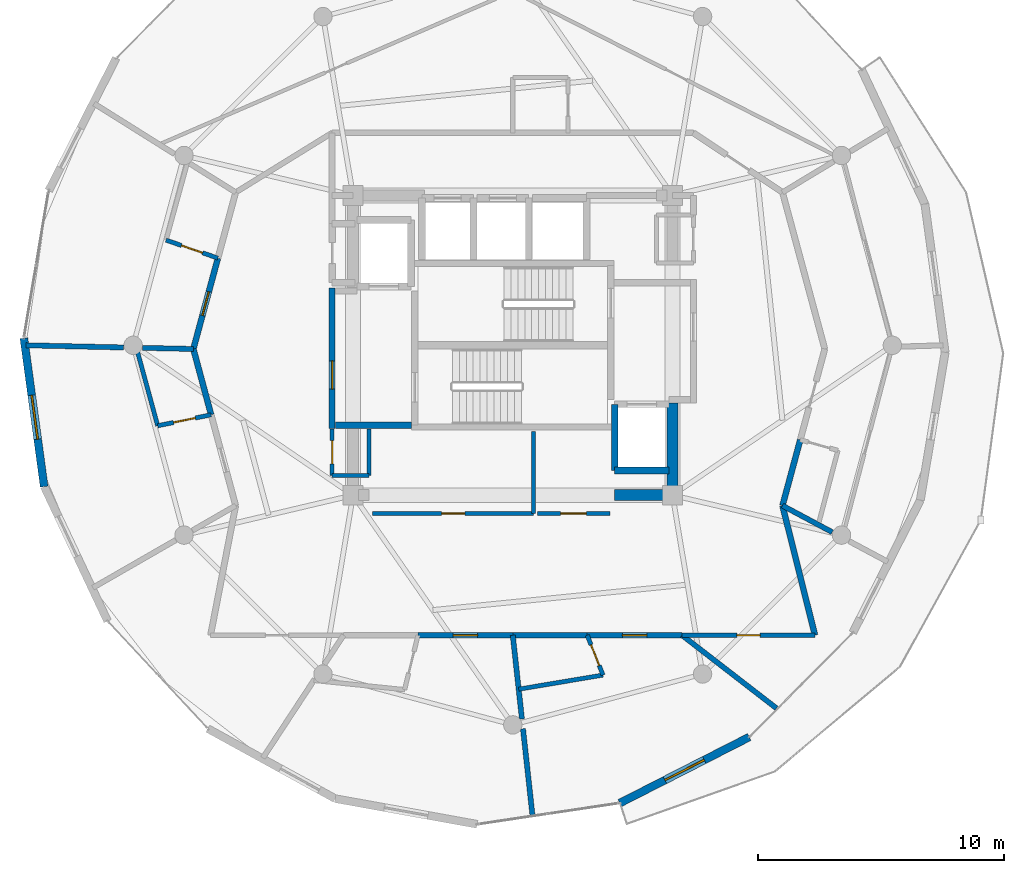
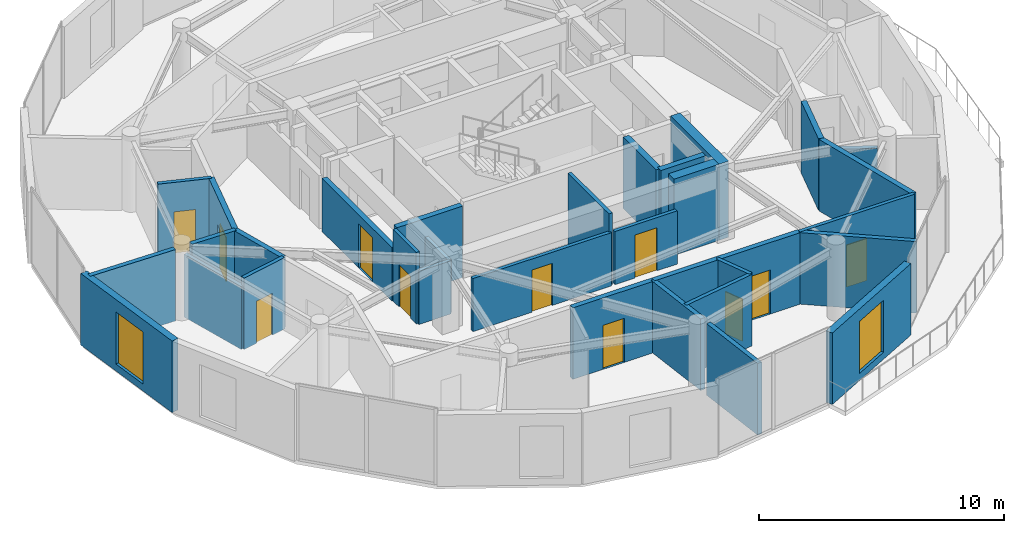
# One storey, part 18 of 23: 33 walls, 11 doors, 2 windows, 13 openings.
"""IFC4 building model written with IfcOpenShell, lengths in metres."""

from ifc_helpers import new_model, si_unit, direction, frame, frame_2d, origin, place, context, subcontext, project, spatial, rectangle, extrude, material, layer, layer_set, type_object, element, fill, save


model = new_model("IFC4")

# Units and contexts
model_context = context("Model", 3, precision=1e-05, world=origin(), true_north=direction((0.0, 1.0)))
body_context = subcontext(model_context, "Body", "Model", "MODEL_VIEW")
ifc_project = project(units=[si_unit("LENGTHUNIT", "METRE"), si_unit("AREAUNIT", "SQUARE_METRE"), si_unit("VOLUMEUNIT", "CUBIC_METRE"), si_unit("PLANEANGLEUNIT", "RADIAN"), si_unit("MASSUNIT", "GRAM", prefix="KILO")], contexts=[model_context])

# Site, building, storey
site_placement = place(None, origin())
site = spatial("IfcSite", under=ifc_project, at=site_placement, CompositionType="ELEMENT")
building_placement = place(site_placement, origin())
building = spatial("IfcBuilding", under=site, at=building_placement, Name="Solvirekh Grand Hotel", CompositionType="ELEMENT")
storey_placement = place(building_placement, frame((0.0, 0.0, 282.0)))
storey = spatial("IfcBuildingStorey", under=building, at=storey_placement, Name="L73", CompositionType="ELEMENT", Elevation=282.0)

# Walls
ifc_material_1 = material(Name="Concrete C40/50", Category="concrete")
ifc_layer_1 = layer(ifc_material_1, 0.280029296875)
ifc_layer_set_1 = layer_set([ifc_layer_1], Name="Concrete C40/50")
wall_type_1 = type_object("IfcWallType", Name="CoreShaftWall_RC280", PredefinedType="SOLIDWALL", material=ifc_layer_set_1)
wall_1_placement = place(storey_placement, frame((4.14990234375, -5.10009765625, 0.0), z_axis=(0.0, 0.0, 1.0), x_axis=(1.0, 0.0, 0.0)))
element("IfcWall", 1, at=wall_1_placement, inside=storey, type_object=wall_type_1, Name="L73 FL-2 hoistway S wall", PredefinedType="SOLIDWALL", context=body_context, shape_type="SweptSolid", body=[
    extrude(rectangle(XDim=2.2001953125, YDim=0.280029296875, at=frame_2d((1.10009765625, 0.0))), origin(), (0.0, 0.0, 1.0), 3.570068359375),
])
wall_2_placement = place(storey_placement, frame((4.14990234375, -2.39990234375, 0.0), z_axis=(0.0, 0.0, 1.0), x_axis=(0.0, -1.0, 0.0)))
element("IfcWall", 2, at=wall_2_placement, inside=storey, type_object=wall_type_1, Name="L73 FL-2 hoistway W wall", PredefinedType="SOLIDWALL", context=body_context, shape_type="SweptSolid", body=[
    extrude(rectangle(XDim=2.7001953125, YDim=0.280029296875, at=frame_2d((1.35009765625, 0.0))), origin(), (0.0, 0.0, 1.0), 3.570068359375),
])
ifc_material_2 = material(Name="Concrete C50/60", Category="concrete")
ifc_layer_2 = layer(ifc_material_2, 0.449951171875)
ifc_layer_set_2 = layer_set([ifc_layer_2], Name="Concrete C50/60")
wall_type_2 = type_object("IfcWallType", Name="CoreWall_RC450", PredefinedType="SHEAR", material=ifc_layer_set_2)
wall_3_placement = place(storey_placement, frame((4.14990234375, -6.10009765625, 0.0), z_axis=(0.0, 0.0, 1.0), x_axis=(1.0, 0.0, 0.0)))
element("IfcWall", 3, at=wall_3_placement, inside=storey, type_object=wall_type_2, Name="L73 core corner shear wall SE-S", PredefinedType="SHEAR", context=body_context, shape_type="SweptSolid", body=[
    extrude(rectangle(XDim=2.125, YDim=0.449951171875, at=frame_2d((1.0625, 0.0))), origin(), (0.0, 0.0, 1.0), 3.800048828125),
])
wall_4_placement = place(storey_placement, frame((6.5, -6.324951171875, 0.0), z_axis=(0.0, 0.0, 1.0), x_axis=(0.0, 1.0, 0.0)))
element("IfcWall", 4, at=wall_4_placement, inside=storey, type_object=wall_type_2, Name="L73 core corner shear wall ES-E", PredefinedType="SHEAR", context=body_context, shape_type="SweptSolid", body=[
    extrude(rectangle(XDim=3.974853515625, YDim=0.449951171875, at=frame_2d((1.9873046875, 0.0))), origin(), (0.0, 0.0, 1.0), 3.800048828125),
])

# Wall, opening, window
ifc_material_3 = material(Name="Precast concrete C45/55", Category="concrete")
ifc_layer_3 = layer(ifc_material_3, 0.320068359375)
ifc_layer_set_3 = layer_set([ifc_layer_3], Name="Precast concrete C45/55")
wall_type_3 = type_object("IfcWallType", Name="ExtLobbyWall_RC320", PredefinedType="SOLIDWALL", material=ifc_layer_set_3)
wall_5_placement = place(storey_placement, frame((9.626953125, -15.943115234375, 0.0), z_axis=(0.0, 0.0, 1.0), x_axis=(-0.890681374573, -0.454628077651, 0.0)))
wall_5 = element("IfcWall", 5, at=wall_5_placement, inside=storey, type_object=wall_type_3, Name="L73 exterior structural wall chord 2", PredefinedType="SOLIDWALL", context=body_context, shape_type="SweptSolid", body=[
    extrude(rectangle(XDim=5.91455078125, YDim=0.320068359375, at=frame_2d((2.957275390625, 0.0))), origin(), (0.0, 0.0, 1.0), 3.570068359375),
])
opening_1_placement = place(wall_5_placement, frame((2.056884765625, 0.0, 0.35009765625)))
opening_1 = element("IfcOpeningElement", 6, at=opening_1_placement, cuts=wall_5, Name="Opening W02", PredefinedType="OPENING", context=body_context, shape_type="SweptSolid", body=[
    extrude(rectangle(XDim=1.800048828125, YDim=2.60009765625, at=frame_2d((0.89990234375, 1.300048828125))), frame((0.0, 0.169921875, 0.0), z_axis=(0.0, -1.0, 0.0), x_axis=(1.0, 0.0, 0.0)), (0.0, 0.0, 1.0), 0.340087890625),
])
ifc_material_4 = material(Name="Low-E Tinted Bronze Laminated Glass", Category="aluminium")
window_type = type_object("IfcWindowType", Name="Win_LobbyExt_1800X2600", PartitioningType="SINGLE_PANEL", PredefinedType="WINDOW", material=ifc_material_4)
window_1_placement = place(opening_1_placement, origin())
window_1 = element("IfcWindow", 7, at=window_1_placement, inside=storey, type_object=window_type, Name="L73 panoramic bronze-framed window 2", OverallHeight=2.60009765625, OverallWidth=1.800048828125, PartitioningType="SINGLE_PANEL", PredefinedType="WINDOW", context=body_context, shape_type="SweptSolid", body=[
    extrude(rectangle(XDim=1.800048828125, YDim=2.60009765625, at=frame_2d((0.89990234375, 1.300048828125))), frame((0.0, 0.030029296875, 0.0), z_axis=(0.0, -1.0, 0.0), x_axis=(1.0, 0.0, 0.0)), (0.0, 0.0, 1.0), 0.06005859375),
])
fill(opening_1, window_1)

wall_6_placement = place(storey_placement, frame((-19.072998046875, -5.7509765625, 0.0), z_axis=(0.0, 0.0, 1.0), x_axis=(-0.135345568291, 0.990798454351, 0.0)))
wall_6 = element("IfcWall", 8, at=wall_6_placement, inside=storey, type_object=wall_type_3, Name="L73 exterior structural wall chord 16", PredefinedType="SOLIDWALL", context=body_context, shape_type="SweptSolid", body=[
    extrude(rectangle(XDim=6.09521484375, YDim=0.320068359375, at=frame_2d((3.047607421875, 0.0))), origin(), (0.0, 0.0, 1.0), 3.570068359375),
])
opening_2_placement = place(wall_6_placement, frame((1.949951171875, 0.0, 0.35009765625)))
opening_2 = element("IfcOpeningElement", 9, at=opening_2_placement, cuts=wall_6, Name="Opening W02", PredefinedType="OPENING", context=body_context, shape_type="SweptSolid", body=[
    extrude(rectangle(XDim=1.800048828125, YDim=2.60009765625, at=frame_2d((0.89990234375, 1.300048828125))), frame((0.0, 0.169921875, 0.0), z_axis=(0.0, -1.0, 0.0), x_axis=(1.0, 0.0, 0.0)), (0.0, 0.0, 1.0), 0.340087890625),
])
window_2_placement = place(opening_2_placement, origin())
window_2 = element("IfcWindow", 10, at=window_2_placement, inside=storey, type_object=window_type, Name="L73 panoramic bronze-framed window 16", OverallHeight=2.60009765625, OverallWidth=1.800048828125, PartitioningType="SINGLE_PANEL", PredefinedType="WINDOW", context=body_context, shape_type="SweptSolid", body=[
    extrude(rectangle(XDim=1.800048828125, YDim=2.60009765625, at=frame_2d((0.89990234375, 1.300048828125))), frame((0.0, 0.030029296875, 0.0), z_axis=(0.0, -1.0, 0.0), x_axis=(1.0, 0.0, 0.0)), (0.0, 0.0, 1.0), 0.06005859375),
])
fill(opening_2, window_2)

# Walls
ifc_material_5 = material(Name="Acoustic Gypsum Partition Assembly")
ifc_layer_4 = layer(ifc_material_5, 0.1650390625)
ifc_layer_set_4 = layer_set([ifc_layer_4], Name="Acoustic Gypsum Partition Assembly")
wall_type_4 = type_object("IfcWallType", Name="Part_BOH_165", PredefinedType="PARTITIONING", material=ifc_layer_set_4)
wall_7_placement = place(storey_placement, frame((-7.35009765625, -5.300048828125, 0.0), z_axis=(0.0, 0.0, 1.0), x_axis=(1.0, 0.0, 0.0)))
element("IfcWall", 11, at=wall_7_placement, inside=storey, type_object=wall_type_4, Name="L73 L73 Butler Service Closet wall 1", PredefinedType="PARTITIONING", context=body_context, shape_type="SweptSolid", body=[
    extrude(rectangle(XDim=1.5, YDim=0.1650390625, at=frame_2d((0.75, 0.0))), origin(), (0.0, 0.0, 1.0), 2.655029296875),
])
wall_8_placement = place(storey_placement, frame((-5.85009765625, -5.300048828125, 0.0), z_axis=(0.0, 0.0, 1.0), x_axis=(0.0, 1.0, 0.0)))
element("IfcWall", 12, at=wall_8_placement, inside=storey, type_object=wall_type_4, Name="L73 L73 Butler Service Closet wall 2", PredefinedType="PARTITIONING", context=body_context, shape_type="SweptSolid", body=[
    extrude(rectangle(XDim=1.900146484375, YDim=0.1650390625, at=frame_2d((0.9501953125, 0.0))), origin(), (0.0, 0.0, 1.0), 2.655029296875),
])

# Wall, opening, door
wall_9_placement = place(storey_placement, frame((-7.35009765625, -3.39990234375, 0.0), z_axis=(0.0, 0.0, 1.0), x_axis=(0.0, -1.0, 0.0)))
wall_9 = element("IfcWall", 13, at=wall_9_placement, inside=storey, type_object=wall_type_4, Name="L73 L73 Butler Service Closet wall 4", PredefinedType="PARTITIONING", context=body_context, shape_type="SweptSolid", body=[
    extrude(rectangle(XDim=1.900146484375, YDim=0.1650390625, at=frame_2d((0.9501953125, 0.0))), origin(), (0.0, 0.0, 1.0), 3.570068359375),
])
opening_3_placement = place(wall_9_placement, frame((0.47509765625, 0.0, 0.0)))
opening_3 = element("IfcOpeningElement", 14, at=opening_3_placement, cuts=wall_9, Name="Opening D10", PredefinedType="OPENING", context=body_context, shape_type="SweptSolid", body=[
    extrude(rectangle(XDim=0.949951171875, YDim=2.10009765625, at=frame_2d((0.47509765625, 1.050048828125))), frame((0.0, 0.092529296875, 0.0), z_axis=(0.0, -1.0, 0.0), x_axis=(1.0, 0.0, 0.0)), (0.0, 0.0, 1.0), 0.18505859375),
])
ifc_material_6 = material(Name="Anodized Bronze Aluminium 6063-T6", Category="aluminium")
door_type_1 = type_object("IfcDoorType", Name="Door_RoomInt_950X2100", OperationType="NOTDEFINED", PredefinedType="DOOR", material=ifc_material_6)
door_1_placement = place(opening_3_placement, origin())
door_1 = element("IfcDoor", 15, at=door_1_placement, inside=storey, type_object=door_type_1, Name="L73 L73 Butler Service Closet door", OperationType="SINGLE_SWING_LEFT", OverallHeight=2.10009765625, OverallWidth=0.949951171875, PredefinedType="DOOR", context=body_context, shape_type="SweptSolid", body=[
    extrude(rectangle(XDim=0.949951171875, YDim=2.10009765625, at=frame_2d((0.47509765625, 1.050048828125))), frame((0.0, 0.02490234375, 0.0), z_axis=(0.0, -1.0, 0.0), x_axis=(1.0, 0.0, 0.0)), (0.0, 0.0, 1.0), 0.050048828125),
])
fill(opening_3, door_1)

wall_10_placement = place(storey_placement, frame((-5.699951171875, -6.85009765625, 0.0), z_axis=(0.0, 0.0, 1.0), x_axis=(1.0, 0.0, 0.0)))
wall_10 = element("IfcWall", 16, at=wall_10_placement, inside=storey, type_object=wall_type_4, Name="L73 Housekeeping Linen Room wall 1", PredefinedType="PARTITIONING", context=body_context, shape_type="SweptSolid", body=[
    extrude(rectangle(XDim=6.550048828125, YDim=0.1650390625, at=frame_2d((3.27490234375, 0.0))), origin(), (0.0, 0.0, 1.0), 2.655029296875),
])
opening_4_placement = place(wall_10_placement, frame((2.800048828125, 0.0, 0.0)))
opening_4 = element("IfcOpeningElement", 17, at=opening_4_placement, cuts=wall_10, Name="Opening D10", PredefinedType="OPENING", context=body_context, shape_type="SweptSolid", body=[
    extrude(rectangle(XDim=0.949951171875, YDim=2.10009765625, at=frame_2d((0.47509765625, 1.050048828125))), frame((0.0, 0.092529296875, 0.0), z_axis=(0.0, -1.0, 0.0), x_axis=(1.0, 0.0, 0.0)), (0.0, 0.0, 1.0), 0.18505859375),
])
door_2_placement = place(opening_4_placement, origin())
door_2 = element("IfcDoor", 18, at=door_2_placement, inside=storey, type_object=door_type_1, Name="L73 Housekeeping Linen Room door", OperationType="SINGLE_SWING_LEFT", OverallHeight=2.10009765625, OverallWidth=0.949951171875, PredefinedType="DOOR", context=body_context, shape_type="SweptSolid", body=[
    extrude(rectangle(XDim=0.949951171875, YDim=2.10009765625, at=frame_2d((0.47509765625, 1.050048828125))), frame((0.0, 0.02490234375, 0.0), z_axis=(0.0, -1.0, 0.0), x_axis=(1.0, 0.0, 0.0)), (0.0, 0.0, 1.0), 0.050048828125),
])
fill(opening_4, door_2)

# Wall
wall_11_placement = place(storey_placement, frame((0.85009765625, -6.85009765625, 0.0), z_axis=(0.0, 0.0, 1.0), x_axis=(0.0, 1.0, 0.0)))
element("IfcWall", 19, at=wall_11_placement, inside=storey, type_object=wall_type_4, Name="L73 Housekeeping Linen Room wall 2", PredefinedType="PARTITIONING", context=body_context, shape_type="SweptSolid", body=[
    extrude(rectangle(XDim=3.35009765625, YDim=0.1650390625, at=frame_2d((1.675048828125, 0.0))), origin(), (0.0, 0.0, 1.0), 3.570068359375),
])

# Wall, opening, door
wall_12_placement = place(storey_placement, frame((1.0, -6.85009765625, 0.0), z_axis=(0.0, 0.0, 1.0), x_axis=(1.0, 0.0, 0.0)))
wall_12 = element("IfcWall", 20, at=wall_12_placement, inside=storey, type_object=wall_type_4, Name="L73 Chilled Water Manifold Room wall 1", PredefinedType="PARTITIONING", context=body_context, shape_type="SweptSolid", body=[
    extrude(rectangle(XDim=2.949951171875, YDim=0.1650390625, at=frame_2d((1.47509765625, 0.0))), origin(), (0.0, 0.0, 1.0), 2.655029296875),
])
opening_5_placement = place(wall_12_placement, frame((0.949951171875, 0.0, 0.0)))
opening_5 = element("IfcOpeningElement", 21, at=opening_5_placement, cuts=wall_12, Name="Opening D12", PredefinedType="OPENING", context=body_context, shape_type="SweptSolid", body=[
    extrude(rectangle(XDim=1.050048828125, YDim=2.14990234375, at=frame_2d((0.52490234375, 1.074951171875))), frame((0.0, 0.092529296875, 0.0), z_axis=(0.0, -1.0, 0.0), x_axis=(1.0, 0.0, 0.0)), (0.0, 0.0, 1.0), 0.18505859375),
])
ifc_material_7 = material(Name="Fire-Rated Steel Door Assembly", Category="steel")
door_type_2 = type_object("IfcDoorType", Name="Door_PlantBOH_1050X2150", OperationType="NOTDEFINED", PredefinedType="DOOR", material=ifc_material_7)
door_3_placement = place(opening_5_placement, origin())
door_3 = element("IfcDoor", 22, at=door_3_placement, inside=storey, type_object=door_type_2, Name="L73 Chilled Water Manifold Room door", OperationType="SINGLE_SWING_RIGHT", OverallHeight=2.14990234375, OverallWidth=1.050048828125, PredefinedType="DOOR", context=body_context, shape_type="SweptSolid", body=[
    extrude(rectangle(XDim=1.050048828125, YDim=2.14990234375, at=frame_2d((0.52490234375, 1.074951171875))), frame((0.0, 0.02490234375, 0.0), z_axis=(0.0, -1.0, 0.0), x_axis=(1.0, 0.0, 0.0)), (0.0, 0.0, 1.0), 0.050048828125),
])
fill(opening_5, door_3)

wall_13_placement = place(storey_placement, frame((6.887939453125, -11.800048828125, 0.0), z_axis=(0.0, 0.0, 1.0), x_axis=(1.0, 0.0, 0.0)))
wall_13 = element("IfcWall", 23, at=wall_13_placement, inside=storey, type_object=wall_type_4, Name="L73 L73 Butler Valet & Linen Steward Room entrance wall", PredefinedType="PARTITIONING", context=body_context, shape_type="SweptSolid", body=[
    extrude(rectangle(XDim=5.412109375, YDim=0.1650390625, at=frame_2d((2.7060546875, 0.0))), origin(), (0.0, 0.0, 1.0), 3.570068359375),
])
opening_6_placement = place(wall_13_placement, frame((2.23095703125, 0.0, 0.0)))
opening_6 = element("IfcOpeningElement", 24, at=opening_6_placement, cuts=wall_13, Name="Opening D10", PredefinedType="OPENING", context=body_context, shape_type="SweptSolid", body=[
    extrude(rectangle(XDim=0.949951171875, YDim=2.10009765625, at=frame_2d((0.47509765625, 1.050048828125))), frame((0.0, 0.092529296875, 0.0), z_axis=(0.0, -1.0, 0.0), x_axis=(1.0, 0.0, 0.0)), (0.0, 0.0, 1.0), 0.18505859375),
])
door_4_placement = place(opening_6_placement, origin())
door_4 = element("IfcDoor", 25, at=door_4_placement, inside=storey, type_object=door_type_1, Name="L73 L73 Butler Valet & Linen Steward Room entrance door", OperationType="SINGLE_SWING_RIGHT", OverallHeight=2.10009765625, OverallWidth=0.949951171875, PredefinedType="DOOR", context=body_context, shape_type="SweptSolid", body=[
    extrude(rectangle(XDim=0.949951171875, YDim=2.10009765625, at=frame_2d((0.47509765625, 1.050048828125))), frame((0.0, 0.02490234375, 0.0), z_axis=(0.0, -1.0, 0.0), x_axis=(1.0, 0.0, 0.0)), (0.0, 0.0, 1.0), 0.050048828125),
])
fill(opening_6, door_4)

ifc_layer_5 = layer(ifc_material_5, 0.239990234375)
ifc_layer_set_5 = layer_set([ifc_layer_5], Name="Acoustic Gypsum Partition Assembly")
wall_type_5 = type_object("IfcWallType", Name="Part_Corridor_240", PredefinedType="PARTITIONING", material=ifc_layer_set_5)
wall_14_placement = place(storey_placement, frame((-7.35009765625, -3.3798828125, 0.0), z_axis=(0.0, 0.0, 1.0), x_axis=(0.0, 1.0, 0.0)))
wall_14 = element("IfcWall", 26, at=wall_14_placement, inside=storey, type_object=wall_type_5, Name="L73 west firefighting lobby smoke screen wall", PredefinedType="PARTITIONING", context=body_context, shape_type="SweptSolid", body=[
    extrude(rectangle(XDim=5.719970703125, YDim=0.239990234375, at=frame_2d((2.85986328125, 0.0))), origin(), (0.0, 0.0, 1.0), 2.655029296875),
])
opening_7_placement = place(wall_14_placement, frame((1.59912109375, 0.0, 0.0)))
opening_7 = element("IfcOpeningElement", 27, at=opening_7_placement, cuts=wall_14, Name="Opening D06", PredefinedType="OPENING", context=body_context, shape_type="SweptSolid", body=[
    extrude(rectangle(XDim=1.14990234375, YDim=2.199951171875, at=frame_2d((0.574951171875, 1.10009765625))), frame((0.0, 0.1298828125, 0.0), z_axis=(0.0, -1.0, 0.0), x_axis=(1.0, 0.0, 0.0)), (0.0, 0.0, 1.0), 0.260009765625),
])
door_type_3 = type_object("IfcDoorType", Name="Door_FFLobby_1150X2200", OperationType="NOTDEFINED", PredefinedType="DOOR", material=ifc_material_7)
door_5_placement = place(opening_7_placement, origin())
door_5 = element("IfcDoor", 28, at=door_5_placement, inside=storey, type_object=door_type_3, Name="L73 west firefighting lobby smoke door", OperationType="SINGLE_SWING_RIGHT", OverallHeight=2.199951171875, OverallWidth=1.14990234375, PredefinedType="DOOR", context=body_context, shape_type="SweptSolid", body=[
    extrude(rectangle(XDim=1.14990234375, YDim=2.199951171875, at=frame_2d((0.574951171875, 1.10009765625))), frame((0.0, 0.02490234375, 0.0), z_axis=(0.0, -1.0, 0.0), x_axis=(1.0, 0.0, 0.0)), (0.0, 0.0, 1.0), 0.050048828125),
])
fill(opening_7, door_5)

wall_15_placement = place(storey_placement, frame((-12.0009765625, 3.547119140625, 0.0), z_axis=(0.0, 0.0, 1.0), x_axis=(-0.260867276747, -0.96537467541, 0.0)))
wall_15 = element("IfcWall", 29, at=wall_15_placement, inside=storey, type_object=wall_type_5, Name="L73 Deluxe Guestroom 7502 entrance wall", PredefinedType="PARTITIONING", context=body_context, shape_type="SweptSolid", body=[
    extrude(rectangle(XDim=3.82958984375, YDim=0.239990234375, at=frame_2d((1.914794921875, 0.0))), origin(), (0.0, 0.0, 1.0), 3.570068359375),
])
opening_8_placement = place(wall_15_placement, frame((1.4150390625, 0.0, 0.0)))
opening_8 = element("IfcOpeningElement", 30, at=opening_8_placement, cuts=wall_15, Name="Opening D07", PredefinedType="OPENING", context=body_context, shape_type="SweptSolid", body=[
    extrude(rectangle(XDim=1.0, YDim=2.199951171875, at=frame_2d((0.5, 1.10009765625))), frame((0.0, 0.1298828125, 0.0), z_axis=(0.0, -1.0, 0.0), x_axis=(1.0, 0.0, 0.0)), (0.0, 0.0, 1.0), 0.260009765625),
])
door_type_4 = type_object("IfcDoorType", Name="Door_GuestEntry_1000X2200", OperationType="NOTDEFINED", PredefinedType="DOOR", material=ifc_material_7)
door_6_placement = place(opening_8_placement, origin())
door_6 = element("IfcDoor", 31, at=door_6_placement, inside=storey, type_object=door_type_4, Name="L73 Deluxe Guestroom 7502 entrance door", OperationType="SINGLE_SWING_RIGHT", OverallHeight=2.199951171875, OverallWidth=1.0, PredefinedType="DOOR", context=body_context, shape_type="SweptSolid", body=[
    extrude(rectangle(XDim=1.0, YDim=2.199951171875, at=frame_2d((0.5, 1.10009765625))), frame((0.0, 0.02490234375, 0.0), z_axis=(0.0, -1.0, 0.0), x_axis=(1.0, 0.0, 0.0)), (0.0, 0.0, 1.0), 0.050048828125),
])
fill(opening_8, door_6)

# Walls
for number, where, z_axis, x_axis, name in (
    (32, (-13.0, -0.14990234375, 0.0), (0.0, 0.0, 1.0), (0.260702780503, -0.965419111183, 0.0), "L73 En-suite Bathroom 7503 corridor backing wall"),
    (33, (10.97802734375, -6.52490234375, 0.0), (0.0, 0.0, 1.0), (0.260702780503, 0.965419111183, 0.0), "L73 En-suite Bathroom 7504 corridor backing wall"),
):
    element("IfcWall", number, at=place(storey_placement, frame(where, z_axis=z_axis, x_axis=x_axis)), inside=storey, type_object=wall_type_5, Name=name, PredefinedType="PARTITIONING", context=body_context, shape_type="SweptSolid", body=[
        extrude(rectangle(XDim=2.77294921875, YDim=0.239990234375, at=frame_2d((1.386474609375, 0.0))), origin(), (0.0, 0.0, 1.0), 3.570068359375),
    ])

# Wall, opening, door
wall_16_placement = place(storey_placement, frame((-3.85693359375, -11.800048828125, 0.0), z_axis=(0.0, 0.0, 1.0), x_axis=(1.0, 0.0, 0.0)))
wall_16 = element("IfcWall", 34, at=wall_16_placement, inside=storey, type_object=wall_type_5, Name="L73 Deluxe Guestroom 7505 entrance wall", PredefinedType="PARTITIONING", context=body_context, shape_type="SweptSolid", body=[
    extrude(rectangle(XDim=3.85693359375, YDim=0.239990234375, at=frame_2d((1.928466796875, 0.0))), origin(), (0.0, 0.0, 1.0), 3.570068359375),
])
opening_9_placement = place(wall_16_placement, frame((1.428955078125, 0.0, 0.0)))
opening_9 = element("IfcOpeningElement", 35, at=opening_9_placement, cuts=wall_16, Name="Opening D07", PredefinedType="OPENING", context=body_context, shape_type="SweptSolid", body=[
    extrude(rectangle(XDim=1.0, YDim=2.199951171875, at=frame_2d((0.5, 1.10009765625))), frame((0.0, 0.1298828125, 0.0), z_axis=(0.0, -1.0, 0.0), x_axis=(1.0, 0.0, 0.0)), (0.0, 0.0, 1.0), 0.260009765625),
])
door_7_placement = place(opening_9_placement, origin())
door_7 = element("IfcDoor", 36, at=door_7_placement, inside=storey, type_object=door_type_4, Name="L73 Deluxe Guestroom 7505 entrance door", OperationType="SINGLE_SWING_LEFT", OverallHeight=2.199951171875, OverallWidth=1.0, PredefinedType="DOOR", context=body_context, shape_type="SweptSolid", body=[
    extrude(rectangle(XDim=1.0, YDim=2.199951171875, at=frame_2d((0.5, 1.10009765625))), frame((0.0, 0.02490234375, 0.0), z_axis=(0.0, -1.0, 0.0), x_axis=(1.0, 0.0, 0.0)), (0.0, 0.0, 1.0), 0.050048828125),
])
fill(opening_9, door_7)

# Wall
wall_17_placement = place(storey_placement, frame((0.0, -11.800048828125, 0.0), z_axis=(0.0, 0.0, 1.0), x_axis=(1.0, 0.0, 0.0)))
element("IfcWall", 37, at=wall_17_placement, inside=storey, type_object=wall_type_5, Name="L73 En-suite Bathroom 7506 corridor backing wall", PredefinedType="PARTITIONING", context=body_context, shape_type="SweptSolid", body=[
    extrude(rectangle(XDim=3.031005859375, YDim=0.239990234375, at=frame_2d((1.515625, 0.0))), origin(), (0.0, 0.0, 1.0), 3.570068359375),
])

# Wall, opening, door
wall_18_placement = place(storey_placement, frame((3.031005859375, -11.800048828125, 0.0), z_axis=(0.0, 0.0, 1.0), x_axis=(1.0, 0.0, 0.0)))
wall_18 = element("IfcWall", 38, at=wall_18_placement, inside=storey, type_object=wall_type_5, Name="L73 Deluxe Guestroom 7506 entrance wall", PredefinedType="PARTITIONING", context=body_context, shape_type="SweptSolid", body=[
    extrude(rectangle(XDim=3.85693359375, YDim=0.239990234375, at=frame_2d((1.928466796875, 0.0))), origin(), (0.0, 0.0, 1.0), 3.570068359375),
])
opening_10_placement = place(wall_18_placement, frame((1.427978515625, 0.0, 0.0)))
opening_10 = element("IfcOpeningElement", 39, at=opening_10_placement, cuts=wall_18, Name="Opening D07", PredefinedType="OPENING", context=body_context, shape_type="SweptSolid", body=[
    extrude(rectangle(XDim=1.0, YDim=2.199951171875, at=frame_2d((0.5, 1.10009765625))), frame((0.0, 0.1298828125, 0.0), z_axis=(0.0, -1.0, 0.0), x_axis=(1.0, 0.0, 0.0)), (0.0, 0.0, 1.0), 0.260009765625),
])
door_8_placement = place(opening_10_placement, origin())
door_8 = element("IfcDoor", 40, at=door_8_placement, inside=storey, type_object=door_type_4, Name="L73 Deluxe Guestroom 7506 entrance door", OperationType="SINGLE_SWING_LEFT", OverallHeight=2.199951171875, OverallWidth=1.0, PredefinedType="DOOR", context=body_context, shape_type="SweptSolid", body=[
    extrude(rectangle(XDim=1.0, YDim=2.199951171875, at=frame_2d((0.5, 1.10009765625))), frame((0.0, 0.02490234375, 0.0), z_axis=(0.0, -1.0, 0.0), x_axis=(1.0, 0.0, 0.0)), (0.0, 0.0, 1.0), 0.050048828125),
])
fill(opening_10, door_8)

# Walls
wall_19_placement = place(storey_placement, frame((12.300048828125, -11.800048828125, 0.0), z_axis=(0.0, 0.0, 1.0), x_axis=(-0.243095426382, 0.970002378179, 0.0)))
element("IfcWall", 41, at=wall_19_placement, inside=storey, type_object=wall_type_5, Name="L73 L73 Butler Valet & Linen Steward Room corridor wall 1", PredefinedType="PARTITIONING", context=body_context, shape_type="SweptSolid", body=[
    extrude(rectangle(XDim=5.438232421875, YDim=0.239990234375, at=frame_2d((2.71923828125, 0.0))), origin(), (0.0, 0.0, 1.0), 3.570068359375),
])
ifc_layer_6 = layer(ifc_material_5, 0.260009765625)
ifc_layer_set_6 = layer_set([ifc_layer_6], Name="Acoustic Gypsum Partition Assembly")
wall_type_6 = type_object("IfcWallType", Name="Part_LobbyFF_260", PredefinedType="PARTITIONING", material=ifc_layer_set_6)
wall_20_placement = place(storey_placement, frame((-7.22509765625, -3.25, 0.0), z_axis=(0.0, 0.0, 1.0), x_axis=(1.0, 0.0, 0.0)))
element("IfcWall", 42, at=wall_20_placement, inside=storey, type_object=wall_type_6, Name="L73 west firefighting lobby south partition", PredefinedType="PARTITIONING", context=body_context, shape_type="SweptSolid", body=[
    extrude(rectangle(XDim=3.09521484375, YDim=0.260009765625, at=frame_2d((1.547607421875, 0.0))), origin(), (0.0, 0.0, 1.0), 3.570068359375),
])
ifc_layer_7 = layer(ifc_material_5, 0.2099609375)
ifc_layer_set_7 = layer_set([ifc_layer_7], Name="Acoustic Gypsum Partition Assembly")
wall_type_7 = type_object("IfcWallType", Name="Part_SuiteDemise_210", PredefinedType="PARTITIONING", material=ifc_layer_set_7)
wall_21_placement = place(storey_placement, frame((-13.0, -0.14990234375, 0.0), z_axis=(0.0, 0.0, 1.0), x_axis=(-0.999754050443, 0.022177434983, 0.0)))
element("IfcWall", 43, at=wall_21_placement, inside=storey, type_object=wall_type_7, Name="L73 suite radial wall 7 (A)", PredefinedType="PARTITIONING", context=body_context, shape_type="SweptSolid", body=[
    extrude(rectangle(XDim=2.069580078125, YDim=0.2099609375, at=frame_2d((1.03466796875, 0.0))), origin(), (0.0, 0.0, 1.0), 3.570068359375),
])
wall_22_placement = place(storey_placement, frame((-15.8349609375, -0.087890625, 0.0), z_axis=(0.0, 0.0, 1.0), x_axis=(-0.999756763109, 0.022054809407, 0.0)))
element("IfcWall", 44, at=wall_22_placement, inside=storey, type_object=wall_type_7, Name="L73 suite radial wall 7 (B)", PredefinedType="PARTITIONING", context=body_context, shape_type="SweptSolid", body=[
    extrude(rectangle(XDim=3.985107421875, YDim=0.2099609375, at=frame_2d((1.99267578125, 0.0))), origin(), (0.0, 0.0, 1.0), 3.570068359375),
])
wall_23_placement = place(storey_placement, frame((10.97802734375, -6.52490234375, 0.0), z_axis=(0.0, 0.0, 1.0), x_axis=(0.882152653626, -0.470963582138, 0.0)))
element("IfcWall", 45, at=wall_23_placement, inside=storey, type_object=wall_type_7, Name="L73 suite radial wall 12 (A)", PredefinedType="PARTITIONING", context=body_context, shape_type="SweptSolid", body=[
    extrude(rectangle(XDim=2.29541015625, YDim=0.2099609375, at=frame_2d((1.147705078125, 0.0))), origin(), (0.0, 0.0, 1.0), 3.0849609375),
])
wall_24_placement = place(storey_placement, frame((0.0, -11.800048828125, 0.0), z_axis=(0.0, 0.0, 1.0), x_axis=(0.108813455261, -0.994062187166, 0.0)))
element("IfcWall", 46, at=wall_24_placement, inside=storey, type_object=wall_type_7, Name="L73 Deluxe Guestroom 7505 dividing partition 1 (A)", PredefinedType="PARTITIONING", context=body_context, shape_type="SweptSolid", body=[
    extrude(rectangle(XDim=3.42822265625, YDim=0.2099609375, at=frame_2d((1.714111328125, 0.0))), origin(), (0.0, 0.0, 1.0), 3.570068359375),
])
wall_25_placement = place(storey_placement, frame((0.416015625, -15.60595703125, 0.0), z_axis=(0.0, 0.0, 1.0), x_axis=(0.108848082949, -0.994058396091, 0.0)))
element("IfcWall", 47, at=wall_25_placement, inside=storey, type_object=wall_type_7, Name="L73 Deluxe Guestroom 7505 dividing partition 1 (B)", PredefinedType="PARTITIONING", context=body_context, shape_type="SweptSolid", body=[
    extrude(rectangle(XDim=3.537109375, YDim=0.2099609375, at=frame_2d((1.7685546875, 0.0))), origin(), (0.0, 0.0, 1.0), 3.570068359375),
])
wall_26_placement = place(storey_placement, frame((6.887939453125, -11.800048828125, 0.0), z_axis=(0.0, 0.0, 1.0), x_axis=(0.79112916644, -0.61164911674, 0.0)))
element("IfcWall", 48, at=wall_26_placement, inside=storey, type_object=wall_type_7, Name="L73 Deluxe Guestroom 7506 dividing partition 1", PredefinedType="PARTITIONING", context=body_context, shape_type="SweptSolid", body=[
    extrude(rectangle(XDim=4.85888671875, YDim=0.2099609375, at=frame_2d((2.429443359375, 0.0))), origin(), (0.0, 0.0, 1.0), 3.570068359375),
])

# Wall, opening, door
ifc_layer_8 = layer(ifc_material_5, 0.175048828125)
ifc_layer_set_8 = layer_set([ifc_layer_8], Name="Acoustic Gypsum Partition Assembly")
wall_type_8 = type_object("IfcWallType", Name="Plumb_Ensuite_175", PredefinedType="PLUMBINGWALL", material=ifc_layer_set_8)
wall_27_placement = place(storey_placement, frame((-12.0009765625, 3.547119140625, 0.0), z_axis=(0.0, 0.0, 1.0), x_axis=(-0.944505641949, 0.328495193764, 0.0)))
wall_27 = element("IfcWall", 49, at=wall_27_placement, inside=storey, type_object=wall_type_8, Name="L73 En-suite Bathroom 7502 entry plumbing wall", PredefinedType="PLUMBINGWALL", context=body_context, shape_type="SweptSolid", body=[
    extrude(rectangle(XDim=2.234130859375, YDim=0.175048828125, at=frame_2d((1.1171875, 0.0))), origin(), (0.0, 0.0, 1.0), 3.570068359375),
])
opening_11_placement = place(wall_27_placement, frame((0.6669921875, 0.0, 0.0)))
opening_11 = element("IfcOpeningElement", 50, at=opening_11_placement, cuts=wall_27, Name="Opening D09", PredefinedType="OPENING", context=body_context, shape_type="SweptSolid", body=[
    extrude(rectangle(XDim=0.89990234375, YDim=2.10009765625, at=frame_2d((0.449951171875, 1.050048828125))), frame((0.0, 0.09765625, 0.0), z_axis=(0.0, -1.0, 0.0), x_axis=(1.0, 0.0, 0.0)), (0.0, 0.0, 1.0), 0.195068359375),
])
door_type_5 = type_object("IfcDoorType", Name="Door_Ensuite_900X2100", OperationType="NOTDEFINED", PredefinedType="DOOR", material=ifc_material_6)
door_9_placement = place(opening_11_placement, origin())
door_9 = element("IfcDoor", 51, at=door_9_placement, inside=storey, type_object=door_type_5, Name="L73 En-suite Bathroom 7502 door", OperationType="SINGLE_SWING_LEFT", OverallHeight=2.10009765625, OverallWidth=0.89990234375, PredefinedType="DOOR", context=body_context, shape_type="SweptSolid", body=[
    extrude(rectangle(XDim=0.89990234375, YDim=2.10009765625, at=frame_2d((0.449951171875, 1.050048828125))), frame((0.0, 0.02490234375, 0.0), z_axis=(0.0, -1.0, 0.0), x_axis=(1.0, 0.0, 0.0)), (0.0, 0.0, 1.0), 0.050048828125),
])
fill(opening_11, door_9)

# Wall
wall_28_placement = place(storey_placement, frame((-15.318115234375, -0.09912109375, 0.0), z_axis=(0.0, 0.0, 1.0), x_axis=(0.263142508188, -0.964756974779, 0.0)))
element("IfcWall", 52, at=wall_28_placement, inside=storey, type_object=wall_type_8, Name="L73 En-suite Bathroom 7503 outer plumbing wall", PredefinedType="PLUMBINGWALL", context=body_context, shape_type="SweptSolid", body=[
    extrude(rectangle(XDim=3.291748046875, YDim=0.175048828125, at=frame_2d((1.64599609375, 0.0))), origin(), (0.0, 0.0, 1.0), 3.136962890625),
])

# Wall, opening, door
wall_29_placement = place(storey_placement, frame((-12.277099609375, -2.826904296875, 0.0), z_axis=(0.0, 0.0, 1.0), x_axis=(-0.979435321296, -0.201758398583, 0.0)))
wall_29 = element("IfcWall", 53, at=wall_29_placement, inside=storey, type_object=wall_type_8, Name="L73 En-suite Bathroom 7503 entry plumbing wall", PredefinedType="PLUMBINGWALL", context=body_context, shape_type="SweptSolid", body=[
    extrude(rectangle(XDim=2.220458984375, YDim=0.175048828125, at=frame_2d((1.1103515625, 0.0))), origin(), (0.0, 0.0, 1.0), 3.570068359375),
])
opening_12_placement = place(wall_29_placement, frame((0.659912109375, 0.0, 0.0)))
opening_12 = element("IfcOpeningElement", 54, at=opening_12_placement, cuts=wall_29, Name="Opening D09", PredefinedType="OPENING", context=body_context, shape_type="SweptSolid", body=[
    extrude(rectangle(XDim=0.89990234375, YDim=2.10009765625, at=frame_2d((0.449951171875, 1.050048828125))), frame((0.0, 0.09765625, 0.0), z_axis=(0.0, -1.0, 0.0), x_axis=(1.0, 0.0, 0.0)), (0.0, 0.0, 1.0), 0.195068359375),
])
door_10_placement = place(opening_12_placement, origin())
door_10 = element("IfcDoor", 55, at=door_10_placement, inside=storey, type_object=door_type_5, Name="L73 En-suite Bathroom 7503 door", OperationType="SINGLE_SWING_LEFT", OverallHeight=2.10009765625, OverallWidth=0.89990234375, PredefinedType="DOOR", context=body_context, shape_type="SweptSolid", body=[
    extrude(rectangle(XDim=0.89990234375, YDim=2.10009765625, at=frame_2d((0.449951171875, 1.050048828125))), frame((0.0, 0.02490234375, 0.0), z_axis=(0.0, -1.0, 0.0), x_axis=(1.0, 0.0, 0.0)), (0.0, 0.0, 1.0), 0.050048828125),
])
fill(opening_12, door_10)

# Wall
wall_30_placement = place(storey_placement, frame((0.239990234375, -13.9970703125, 0.0), z_axis=(0.0, 0.0, 1.0), x_axis=(0.986264720431, 0.165172337976, 0.0)))
element("IfcWall", 56, at=wall_30_placement, inside=storey, type_object=wall_type_8, Name="L73 En-suite Bathroom 7506 outer plumbing wall", PredefinedType="PLUMBINGWALL", context=body_context, shape_type="SweptSolid", body=[
    extrude(rectangle(XDim=3.48095703125, YDim=0.175048828125, at=frame_2d((1.740478515625, 0.0))), origin(), (0.0, 0.0, 1.0), 3.570068359375),
])

# Wall, opening, door
wall_31_placement = place(storey_placement, frame((3.031005859375, -11.800048828125, 0.0), z_axis=(0.0, 0.0, 1.0), x_axis=(0.368058533414, -0.929802622055, 0.0)))
wall_31 = element("IfcWall", 57, at=wall_31_placement, inside=storey, type_object=wall_type_8, Name="L73 En-suite Bathroom 7506 entry plumbing wall", PredefinedType="PLUMBINGWALL", context=body_context, shape_type="SweptSolid", body=[
    extrude(rectangle(XDim=1.74462890625, YDim=0.175048828125, at=frame_2d((0.872314453125, 0.0))), origin(), (0.0, 0.0, 1.0), 3.570068359375),
])
opening_13_placement = place(wall_31_placement, frame((0.422119140625, 0.0, 0.0)))
opening_13 = element("IfcOpeningElement", 58, at=opening_13_placement, cuts=wall_31, Name="Opening D09", PredefinedType="OPENING", context=body_context, shape_type="SweptSolid", body=[
    extrude(rectangle(XDim=0.89990234375, YDim=2.10009765625, at=frame_2d((0.449951171875, 1.050048828125))), frame((0.0, 0.09765625, 0.0), z_axis=(0.0, -1.0, 0.0), x_axis=(1.0, 0.0, 0.0)), (0.0, 0.0, 1.0), 0.195068359375),
])
door_11_placement = place(opening_13_placement, origin())
door_11 = element("IfcDoor", 59, at=door_11_placement, inside=storey, type_object=door_type_5, Name="L73 En-suite Bathroom 7506 door", OperationType="SINGLE_SWING_RIGHT", OverallHeight=2.10009765625, OverallWidth=0.89990234375, PredefinedType="DOOR", context=body_context, shape_type="SweptSolid", body=[
    extrude(rectangle(XDim=0.89990234375, YDim=2.10009765625, at=frame_2d((0.449951171875, 1.050048828125))), frame((0.0, 0.02490234375, 0.0), z_axis=(0.0, -1.0, 0.0), x_axis=(1.0, 0.0, 0.0)), (0.0, 0.0, 1.0), 0.050048828125),
])
fill(opening_13, door_11)

save(model, "model.ifc")
